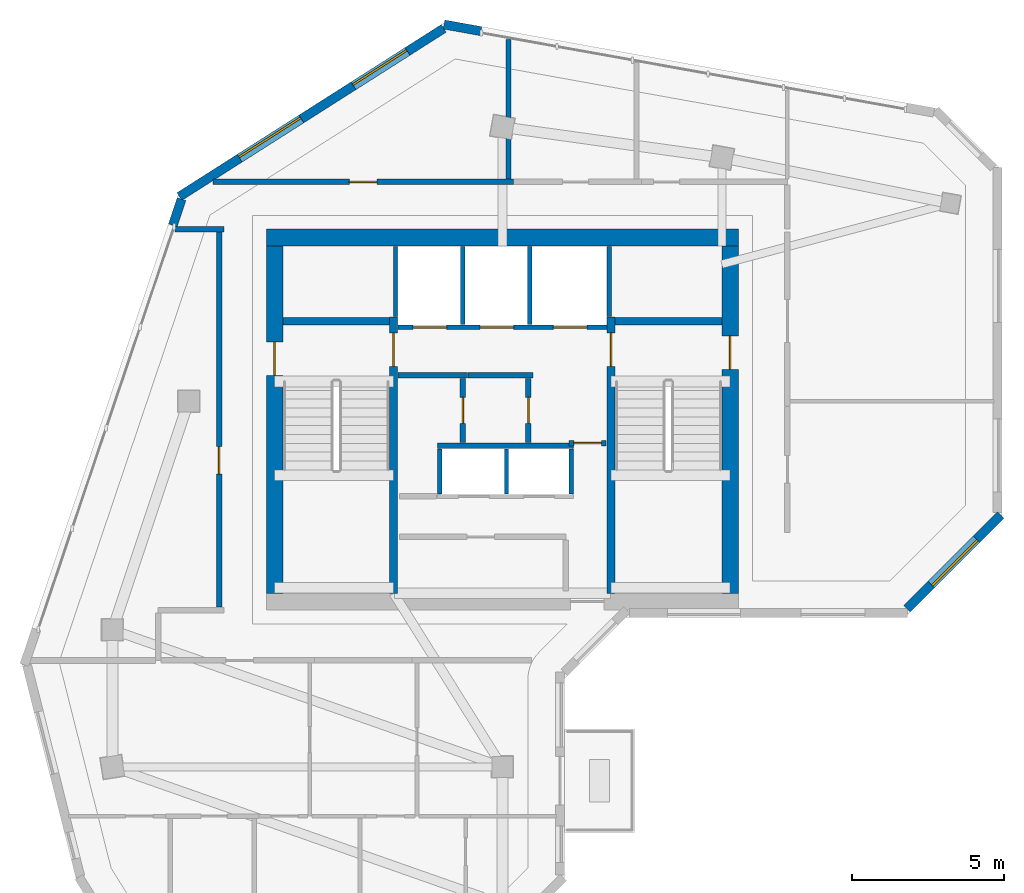
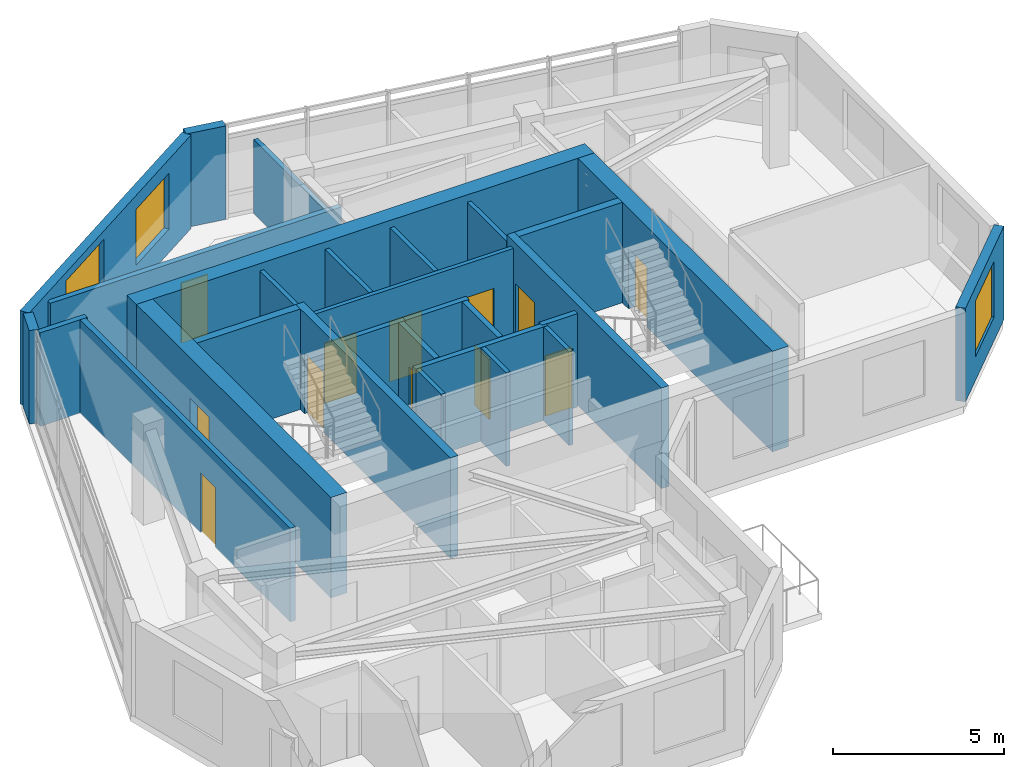
# One storey, part 4 of 7: 29 walls, 12 doors, 3 windows, 15 openings.
"""IFC4 building model written with IfcOpenShell, lengths in metres."""

from ifc_helpers import new_model, si_unit, direction, frame, frame_2d, origin, place, context, subcontext, project, spatial, rectangle, extrude, source, transform, mapped, material, layer, layer_set, type_object, element, fill, save


model = new_model("IFC4")

# Units and contexts
model_context = context("Model", 3, precision=1e-05, world=origin(), true_north=direction((0.0, 1.0)))
body_context = subcontext(model_context, "Body", "Model", "MODEL_VIEW")
ifc_project = project(units=[si_unit("LENGTHUNIT", "METRE"), si_unit("AREAUNIT", "SQUARE_METRE"), si_unit("VOLUMEUNIT", "CUBIC_METRE"), si_unit("PLANEANGLEUNIT", "RADIAN"), si_unit("MASSUNIT", "GRAM", prefix="KILO")], contexts=[model_context])

# Site, building, storey
site_placement = place(None, origin())
site = spatial("IfcSite", under=ifc_project, at=site_placement, CompositionType="ELEMENT")
building_placement = place(site_placement, origin())
building = spatial("IfcBuilding", under=site, at=building_placement, Name="Calvemar Wedge Station Tower", CompositionType="ELEMENT")
storey_placement = place(building_placement, frame((0.0, 0.0, 288.89990234375)))
storey = spatial("IfcBuildingStorey", under=building, at=storey_placement, Name="L74", CompositionType="ELEMENT", Elevation=288.89990234375)

# Wall, opening, door
ifc_material_1 = material(Name="Concrete C50", Category="concrete")
ifc_layer_1 = layer(ifc_material_1, 0.260009765625)
ifc_layer_set_1 = layer_set([ifc_layer_1], Name="Concrete C50")
wall_type_1 = type_object("IfcWallType", Name="SW-CORE-260", PredefinedType="SHEAR", material=ifc_layer_set_1)
wall_1_placement = place(storey_placement, frame((20.22998046875, 34.199951171875, 0.0), z_axis=(0.0, 0.0, 1.0), x_axis=(0.0, 1.0, 0.0)))
wall_1 = element("IfcWall", 1, at=wall_1_placement, inside=storey, type_object=wall_type_1, Name="Storey L74 Core Shear Wall SPINE-W", PredefinedType="SHEAR", context=body_context, shape_type="SweptSolid", body=[
    extrude(rectangle(XDim=9.06005859375, YDim=0.260009765625, at=frame_2d((4.530029296875, 0.0))), origin(), (0.0, 0.0, 1.0), 3.60009765625),
])
shared_shape_1 = source(origin(), body_context, "Body", "SweptSolid", [
    extrude(rectangle(XDim=1.10009765625, YDim=2.14990234375, at=frame_2d((0.550048828125, 1.074951171875))), frame((0.0, 0.14013671875, 0.0), z_axis=(0.0, -1.0, 0.0), x_axis=(1.0, 0.0, 0.0)), (0.0, 0.0, 1.0), 0.280029296875),
])
opening_1_placement = place(wall_1_placement, frame((7.449951171875, 0.0, 0.0)))
opening_1 = element("IfcOpeningElement", 2, at=opening_1_placement, cuts=wall_1, Name="Opening FD-90", PredefinedType="OPENING", context=body_context, shape_type="MappedRepresentation", body=[
    mapped(shared_shape_1, transform((0.0, 0.0, 0.0), scale=1.0)),
])
ifc_material_2 = material(Name="Galvanized fire-rated steel door leaf P-90", Category="steel")
door_type_1 = type_object("IfcDoorType", Name="DR-FD90-1100", OperationType="NOTDEFINED", PredefinedType="DOOR", material=ifc_material_2)
shared_shape_2 = source(origin(), body_context, "Body", "SweptSolid", [
    extrude(rectangle(XDim=1.10009765625, YDim=2.14990234375, at=frame_2d((0.550048828125, 1.074951171875))), frame((0.0, 0.02490234375, 0.0), z_axis=(0.0, -1.0, 0.0), x_axis=(1.0, 0.0, 0.0)), (0.0, 0.0, 1.0), 0.050048828125),
])
door_1_placement = place(opening_1_placement, origin())
door_1 = element("IfcDoor", 3, at=door_1_placement, inside=storey, type_object=door_type_1, Name="L74 FF Lobby to Stair ST-C1 Door", OperationType="SINGLE_SWING_RIGHT", OverallHeight=2.14990234375, OverallWidth=1.10009765625, PredefinedType="DOOR", context=body_context, shape_type="MappedRepresentation", body=[
    mapped(shared_shape_2, transform((0.0, 0.0, 0.0), scale=1.0)),
])
fill(opening_1, door_1)

wall_2_placement = place(storey_placement, frame((27.3701171875, 34.199951171875, 0.0), z_axis=(0.0, 0.0, 1.0), x_axis=(0.0, 1.0, 0.0)))
wall_2 = element("IfcWall", 4, at=wall_2_placement, inside=storey, type_object=wall_type_1, Name="Storey L74 Core Shear Wall SPINE-E", PredefinedType="SHEAR", context=body_context, shape_type="SweptSolid", body=[
    extrude(rectangle(XDim=9.06005859375, YDim=0.260009765625, at=frame_2d((4.530029296875, 0.0))), origin(), (0.0, 0.0, 1.0), 3.60009765625),
])
opening_2_placement = place(wall_2_placement, frame((7.449951171875, 0.0, 0.0)))
opening_2 = element("IfcOpeningElement", 5, at=opening_2_placement, cuts=wall_2, Name="Opening FD-90", PredefinedType="OPENING", context=body_context, shape_type="MappedRepresentation", body=[
    mapped(shared_shape_1, transform((0.0, 0.0, 0.0), scale=1.0)),
])
door_2_placement = place(opening_2_placement, origin())
door_2 = element("IfcDoor", 6, at=door_2_placement, inside=storey, type_object=door_type_1, Name="L74 FF Lobby to Stair ST-C2 Door", OperationType="SINGLE_SWING_LEFT", OverallHeight=2.14990234375, OverallWidth=1.10009765625, PredefinedType="DOOR", context=body_context, shape_type="MappedRepresentation", body=[
    mapped(shared_shape_2, transform((0.0, 0.0, 0.0), scale=1.0)),
])
fill(opening_2, door_2)

# Walls
for number, where, z_axis, x_axis, name in (
    (7, (16.60009765625, 43.1298828125, 0.0), (0.0, 0.0, 1.0), (1.0, 0.0, 0.0), "Storey L74 Core Shear Wall STC1-N"),
    (8, (27.5, 43.1298828125, 0.0), (0.0, 0.0, 1.0), (1.0, 0.0, 0.0), "Storey L74 Core Shear Wall STC2-N"),
):
    element("IfcWall", number, at=place(storey_placement, frame(where, z_axis=z_axis, x_axis=x_axis)), inside=storey, type_object=wall_type_1, Name=name, PredefinedType="SHEAR", context=body_context, shape_type="SweptSolid", body=[
        extrude(rectangle(XDim=3.5, YDim=0.260009765625, at=frame_2d((1.75, 0.0))), origin(), (0.0, 0.0, 1.0), 3.60009765625),
    ])
ifc_material_3 = material(Name="Concrete C60", Category="concrete")
ifc_layer_2 = layer(ifc_material_3, 0.550048828125)
ifc_layer_set_2 = layer_set([ifc_layer_2], Name="Concrete C60")
wall_type_2 = type_object("IfcWallType", Name="SW-CORE-550", PredefinedType="SHEAR", material=ifc_layer_set_2)
wall_3_placement = place(storey_placement, frame((16.050048828125, 45.875, 0.0), z_axis=(0.0, 0.0, 1.0), x_axis=(1.0, 0.0, 0.0)))
element("IfcWall", 9, at=wall_3_placement, inside=storey, type_object=wall_type_2, Name="Storey L74 Core Shear Wall N", PredefinedType="SHEAR", context=body_context, shape_type="SweptSolid", body=[
    extrude(rectangle(XDim=15.5, YDim=0.550048828125, at=frame_2d((7.75, 0.0))), origin(), (0.0, 0.0, 1.0), 3.60009765625),
])

# Wall, opening, door
wall_4_placement = place(storey_placement, frame((16.324951171875, 34.199951171875, 0.0), z_axis=(0.0, 0.0, 1.0), x_axis=(0.0, 1.0, 0.0)))
wall_4 = element("IfcWall", 10, at=wall_4_placement, inside=storey, type_object=wall_type_2, Name="Storey L74 Core Shear Wall W", PredefinedType="SHEAR", context=body_context, shape_type="SweptSolid", body=[
    extrude(rectangle(XDim=11.400146484375, YDim=0.550048828125, at=frame_2d((5.7001953125, 0.0))), origin(), (0.0, 0.0, 1.0), 3.60009765625),
])
shared_shape_3 = source(origin(), body_context, "Body", "SweptSolid", [
    extrude(rectangle(XDim=1.10009765625, YDim=2.14990234375, at=frame_2d((0.550048828125, 1.074951171875))), frame((0.0, 0.28515625, 0.0), z_axis=(0.0, -1.0, 0.0), x_axis=(1.0, 0.0, 0.0)), (0.0, 0.0, 1.0), 0.570068359375),
])
opening_3_placement = place(wall_4_placement, frame((7.14990234375, 0.0, 0.0)))
opening_3 = element("IfcOpeningElement", 11, at=opening_3_placement, cuts=wall_4, Name="Opening FD-90", PredefinedType="OPENING", context=body_context, shape_type="MappedRepresentation", body=[
    mapped(shared_shape_3, transform((0.0, 0.0, 0.0), scale=1.0)),
])
door_3_placement = place(opening_3_placement, origin())
door_3 = element("IfcDoor", 12, at=door_3_placement, inside=storey, type_object=door_type_1, Name="L74 West Corridor to Exit Stair ST-C1 Door", OperationType="SINGLE_SWING_RIGHT", OverallHeight=2.14990234375, OverallWidth=1.10009765625, PredefinedType="DOOR", context=body_context, shape_type="MappedRepresentation", body=[
    mapped(shared_shape_2, transform((0.0, 0.0, 0.0), scale=1.0)),
])
fill(opening_3, door_3)

wall_5_placement = place(storey_placement, frame((31.27490234375, 34.199951171875, 0.0), z_axis=(0.0, 0.0, 1.0), x_axis=(0.0, 1.0, 0.0)))
wall_5 = element("IfcWall", 13, at=wall_5_placement, inside=storey, type_object=wall_type_2, Name="Storey L74 Core Shear Wall E", PredefinedType="SHEAR", context=body_context, shape_type="SweptSolid", body=[
    extrude(rectangle(XDim=11.400146484375, YDim=0.550048828125, at=frame_2d((5.7001953125, 0.0))), origin(), (0.0, 0.0, 1.0), 3.60009765625),
])
opening_4_placement = place(wall_5_placement, frame((7.35009765625, 0.0, 0.0)))
opening_4 = element("IfcOpeningElement", 14, at=opening_4_placement, cuts=wall_5, Name="Opening FD-90", PredefinedType="OPENING", context=body_context, shape_type="MappedRepresentation", body=[
    mapped(shared_shape_3, transform((0.0, 0.0, 0.0), scale=1.0)),
])
door_4_placement = place(opening_4_placement, origin())
door_4 = element("IfcDoor", 15, at=door_4_placement, inside=storey, type_object=door_type_1, Name="L74 East Corridor to Exit Stair ST-C2 Door", OperationType="SINGLE_SWING_LEFT", OverallHeight=2.14990234375, OverallWidth=1.10009765625, PredefinedType="DOOR", context=body_context, shape_type="MappedRepresentation", body=[
    mapped(shared_shape_2, transform((0.0, 0.0, 0.0), scale=1.0)),
])
fill(opening_4, door_4)

# Walls
ifc_material_4 = material(Name="Double-stud fire-rated corridor partition")
ifc_layer_3 = layer(ifc_material_4, 0.179931640625)
ifc_layer_set_3 = layer_set([ifc_layer_3], Name="Double-stud fire-rated corridor partition")
wall_type_3 = type_object("IfcWallType", Name="W-CORR-180", PredefinedType="PARTITIONING", material=ifc_layer_set_3)
wall_6_placement = place(storey_placement, frame((22.659912109375, 41.35009765625, 0.0), z_axis=(0.0, 0.0, 1.0), x_axis=(-1.0, 0.0, 0.0)))
element("IfcWall", 16, at=wall_6_placement, inside=storey, type_object=wall_type_3, Name="Storey L74 Interior Partition WL-L74-001", PredefinedType="PARTITIONING", context=body_context, shape_type="SweptSolid", body=[
    extrude(rectangle(XDim=2.280029296875, YDim=0.179931640625, at=frame_2d((1.14013671875, 0.0))), origin(), (0.0, 0.0, 1.0), 3.35009765625),
])
wall_7_placement = place(storey_placement, frame((24.81005859375, 41.35009765625, 0.0), z_axis=(0.0, 0.0, 1.0), x_axis=(-1.0, 0.0, 0.0)))
element("IfcWall", 17, at=wall_7_placement, inside=storey, type_object=wall_type_3, Name="Storey L74 Interior Partition WL-L74-002", PredefinedType="PARTITIONING", context=body_context, shape_type="SweptSolid", body=[
    extrude(rectangle(XDim=2.14794921875, YDim=0.179931640625, at=frame_2d((1.073974609375, 0.0))), origin(), (0.0, 0.0, 1.0), 3.35009765625),
])

# Wall, opening, door
wall_8_placement = place(storey_placement, frame((22.5, 41.256103515625, 0.0), z_axis=(0.0, 0.0, 1.0), x_axis=(0.0, -1.0, 0.0)))
wall_8 = element("IfcWall", 18, at=wall_8_placement, inside=storey, type_object=wall_type_3, Name="Storey L74 Interior Partition WL-L74-003", PredefinedType="PARTITIONING", context=body_context, shape_type="SweptSolid", body=[
    extrude(rectangle(XDim=2.106201171875, YDim=0.179931640625, at=frame_2d((1.05322265625, 0.0))), origin(), (0.0, 0.0, 1.0), 3.35009765625),
])
shared_shape_4 = source(origin(), body_context, "Body", "SweptSolid", [
    extrude(rectangle(XDim=0.85009765625, YDim=2.14990234375, at=frame_2d((0.425048828125, 1.074951171875))), frame((0.0, 0.10009765625, 0.0), z_axis=(0.0, -1.0, 0.0), x_axis=(1.0, 0.0, 0.0)), (0.0, 0.0, 1.0), 0.199951171875),
])
opening_5_placement = place(wall_8_placement, frame((0.6279296875, 0.0, 0.0)))
opening_5 = element("IfcOpeningElement", 19, at=opening_5_placement, cuts=wall_8, Name="Opening FD-60S", PredefinedType="OPENING", context=body_context, shape_type="MappedRepresentation", body=[
    mapped(shared_shape_4, transform((0.0, 0.0, 0.0), scale=1.0)),
])
ifc_material_5 = material(Name="Fire-rated steel and hardwood service door EI 60", Category="steel")
door_type_2 = type_object("IfcDoorType", Name="DR-CORE-FD60-850", OperationType="NOTDEFINED", PredefinedType="DOOR", material=ifc_material_5)
shared_shape_5 = source(origin(), body_context, "Body", "SweptSolid", [
    extrude(rectangle(XDim=0.85009765625, YDim=2.14990234375, at=frame_2d((0.425048828125, 1.074951171875))), frame((0.0, 0.02490234375, 0.0), z_axis=(0.0, -1.0, 0.0), x_axis=(1.0, 0.0, 0.0)), (0.0, 0.0, 1.0), 0.050048828125),
])
door_5_placement = place(opening_5_placement, origin())
door_5 = element("IfcDoor", 20, at=door_5_placement, inside=storey, type_object=door_type_2, Name="L74 IT and Telecoms Room Door", OperationType="SINGLE_SWING_LEFT", OverallHeight=2.14990234375, OverallWidth=0.85009765625, PredefinedType="DOOR", context=body_context, shape_type="MappedRepresentation", body=[
    mapped(shared_shape_5, transform((0.0, 0.0, 0.0), scale=1.0)),
])
fill(opening_5, door_5)

wall_9_placement = place(storey_placement, frame((24.64990234375, 41.256103515625, 0.0), z_axis=(0.0, 0.0, 1.0), x_axis=(0.0, -1.0, 0.0)))
wall_9 = element("IfcWall", 21, at=wall_9_placement, inside=storey, type_object=wall_type_3, Name="Storey L74 Interior Partition WL-L74-005", PredefinedType="PARTITIONING", context=body_context, shape_type="SweptSolid", body=[
    extrude(rectangle(XDim=2.106201171875, YDim=0.179931640625, at=frame_2d((1.05322265625, 0.0))), origin(), (0.0, 0.0, 1.0), 3.35009765625),
])
opening_6_placement = place(wall_9_placement, frame((0.6279296875, 0.0, 0.0)))
opening_6 = element("IfcOpeningElement", 22, at=opening_6_placement, cuts=wall_9, Name="Opening FD-60S", PredefinedType="OPENING", context=body_context, shape_type="MappedRepresentation", body=[
    mapped(shared_shape_4, transform((0.0, 0.0, 0.0), scale=1.0)),
])
door_6_placement = place(opening_6_placement, origin())
door_6 = element("IfcDoor", 23, at=door_6_placement, inside=storey, type_object=door_type_2, Name="L74 Core Equipment Store Door", OperationType="SINGLE_SWING_RIGHT", OverallHeight=2.14990234375, OverallWidth=0.85009765625, PredefinedType="DOOR", context=body_context, shape_type="MappedRepresentation", body=[
    mapped(shared_shape_5, transform((0.0, 0.0, 0.0), scale=1.0)),
])
fill(opening_6, door_6)

wall_10_placement = place(storey_placement, frame((27.199951171875, 39.1298828125, 0.0), z_axis=(0.0, 0.0, 1.0), x_axis=(-1.0, 0.0, 0.0)))
wall_10 = element("IfcWall", 24, at=wall_10_placement, inside=storey, type_object=wall_type_3, Name="Storey L74 Interior Partition WL-L74-006", PredefinedType="PARTITIONING", context=body_context, shape_type="SweptSolid", body=[
    extrude(rectangle(XDim=1.2099609375, YDim=0.179931640625, at=frame_2d((0.60498046875, 0.0))), origin(), (0.0, 0.0, 1.0), 3.35009765625),
])
shared_shape_6 = source(origin(), body_context, "Body", "SweptSolid", [
    extrude(rectangle(XDim=0.89990234375, YDim=2.14990234375, at=frame_2d((0.449951171875, 1.074951171875))), frame((0.0, 0.10009765625, 0.0), z_axis=(0.0, -1.0, 0.0), x_axis=(1.0, 0.0, 0.0)), (0.0, 0.0, 1.0), 0.199951171875),
])
opening_7_placement = place(wall_10_placement, frame((0.155029296875, 0.0, 0.0)))
opening_7 = element("IfcOpeningElement", 25, at=opening_7_placement, cuts=wall_10, Name="Opening FD-60", PredefinedType="OPENING", context=body_context, shape_type="MappedRepresentation", body=[
    mapped(shared_shape_6, transform((0.0, 0.0, 0.0), scale=1.0)),
])
ifc_material_6 = material(Name="Fire-rated acoustic timber-core entrance door EI 60", Category="wood")
door_type_3 = type_object("IfcDoorType", Name="DR-FD60-900", OperationType="NOTDEFINED", PredefinedType="DOOR", material=ifc_material_6)
shared_shape_7 = source(origin(), body_context, "Body", "SweptSolid", [
    extrude(rectangle(XDim=0.89990234375, YDim=2.14990234375, at=frame_2d((0.449951171875, 1.074951171875))), frame((0.0, 0.02490234375, 0.0), z_axis=(0.0, -1.0, 0.0), x_axis=(1.0, 0.0, 0.0)), (0.0, 0.0, 1.0), 0.050048828125),
])
door_7_placement = place(opening_7_placement, origin())
door_7 = element("IfcDoor", 26, at=door_7_placement, inside=storey, type_object=door_type_3, Name="L74 Core Service Lobby Door", OperationType="SINGLE_SWING_LEFT", OverallHeight=2.14990234375, OverallWidth=0.89990234375, PredefinedType="DOOR", context=body_context, shape_type="MappedRepresentation", body=[
    mapped(shared_shape_7, transform((0.0, 0.0, 0.0), scale=1.0)),
])
fill(opening_7, door_7)

wall_11_placement = place(storey_placement, frame((14.5, 33.743896484375, 0.0), z_axis=(0.0, 0.0, 1.0), x_axis=(0.0, 1.0, 0.0)))
wall_11 = element("IfcWall", 27, at=wall_11_placement, inside=storey, type_object=wall_type_3, Name="Storey L74 Interior Partition WL-L74-014", PredefinedType="PARTITIONING", context=body_context, shape_type="SweptSolid", body=[
    extrude(rectangle(XDim=12.406005859375, YDim=0.179931640625, at=frame_2d((6.203125, 0.0))), origin(), (0.0, 0.0, 1.0), 3.35009765625),
])
opening_8_placement = place(wall_11_placement, frame((4.36962890625, 0.0, 0.0)))
opening_8 = element("IfcOpeningElement", 28, at=opening_8_placement, cuts=wall_11, Name="Opening D-01", PredefinedType="OPENING", context=body_context, shape_type="MappedRepresentation", body=[
    mapped(shared_shape_6, transform((0.0, 0.0, 0.0), scale=1.0)),
])
ifc_material_7 = material(Name="Architectural hardwood acoustic swing door", Category="wood")
door_type_4 = type_object("IfcDoorType", Name="DR-INT-900", OperationType="NOTDEFINED", PredefinedType="DOOR", material=ifc_material_7)
shared_shape_8 = source(origin(), body_context, "Body", "SweptSolid", [
    extrude(rectangle(XDim=0.89990234375, YDim=2.14990234375, at=frame_2d((0.449951171875, 1.074951171875))), frame((0.0, 0.02490234375, 0.0), z_axis=(0.0, -1.0, 0.0), x_axis=(1.0, 0.0, 0.0)), (0.0, 0.0, 1.0), 0.050048828125),
])
door_8_placement = place(opening_8_placement, origin())
door_8 = element("IfcDoor", 29, at=door_8_placement, inside=storey, type_object=door_type_4, Name="L74 Resident Reading Lounge Door", OperationType="SINGLE_SWING_LEFT", OverallHeight=2.14990234375, OverallWidth=0.89990234375, PredefinedType="DOOR", context=body_context, shape_type="MappedRepresentation", body=[
    mapped(shared_shape_8, transform((0.0, 0.0, 0.0), scale=1.0)),
])
fill(opening_8, door_8)

# Wall
wall_12_placement = place(storey_placement, frame((14.659912109375, 46.14990234375, 0.0), z_axis=(0.0, 0.0, 1.0), x_axis=(-1.0, 0.0, 0.0)))
element("IfcWall", 30, at=wall_12_placement, inside=storey, type_object=wall_type_3, Name="Storey L74 Interior Partition WL-L74-015", PredefinedType="PARTITIONING", context=body_context, shape_type="SweptSolid", body=[
    extrude(rectangle(XDim=1.602294921875, YDim=0.179931640625, at=frame_2d((0.80126953125, 0.0))), origin(), (0.0, 0.0, 1.0), 3.35009765625),
])

# Wall, opening, door
wall_13_placement = place(storey_placement, frame((14.29541015625, 47.699951171875, 0.0), z_axis=(0.0, 0.0, 1.0), x_axis=(1.0, 0.0, 0.0)))
wall_13 = element("IfcWall", 31, at=wall_13_placement, inside=storey, type_object=wall_type_3, Name="Storey L74 Interior Partition WL-L74-016", PredefinedType="PARTITIONING", context=body_context, shape_type="SweptSolid", body=[
    extrude(rectangle(XDim=9.864501953125, YDim=0.179931640625, at=frame_2d((4.93212890625, 0.0))), origin(), (0.0, 0.0, 1.0), 3.0341796875),
])
opening_9_placement = place(wall_13_placement, frame((4.482421875, 0.0, 0.0)))
opening_9 = element("IfcOpeningElement", 32, at=opening_9_placement, cuts=wall_13, Name="Opening D-01", PredefinedType="OPENING", context=body_context, shape_type="MappedRepresentation", body=[
    mapped(shared_shape_6, transform((0.0, 0.0, 0.0), scale=1.0)),
])
door_9_placement = place(opening_9_placement, origin())
door_9 = element("IfcDoor", 33, at=door_9_placement, inside=storey, type_object=door_type_4, Name="L74 Summit Pantry Door", OperationType="SINGLE_SWING_RIGHT", OverallHeight=2.14990234375, OverallWidth=0.89990234375, PredefinedType="DOOR", context=body_context, shape_type="MappedRepresentation", body=[
    mapped(shared_shape_8, transform((0.0, 0.0, 0.0), scale=1.0)),
])
fill(opening_9, door_9)

# Wall, opening, window
ifc_material_8 = material(Name="Precast concrete C45", Category="concrete")
ifc_layer_4 = layer(ifc_material_8, 0.300048828125)
ifc_layer_set_4 = layer_set([ifc_layer_4], Name="Precast concrete C45")
wall_type_4 = type_object("IfcWallType", Name="W-EXT-GFRC-300", PredefinedType="SOLIDWALL", material=ifc_layer_set_4)
wall_14_placement = place(storey_placement, frame((37.075927734375, 33.68798828125, 0.0), z_axis=(0.0, 0.0, 1.0), x_axis=(0.707078757535, 0.707134803727, 0.0)))
wall_14 = element("IfcWall", 34, at=wall_14_placement, inside=storey, type_object=wall_type_4, Name="Storey L74 Bronze GFRC Exterior Wall 7", PredefinedType="SOLIDWALL", context=body_context, shape_type="SweptSolid", body=[
    extrude(rectangle(XDim=4.35595703125, YDim=0.300048828125, at=frame_2d((2.177978515625, 0.0))), origin(), (0.0, 0.0, 1.0), 3.35009765625),
])
shared_shape_9 = source(origin(), body_context, "Body", "SweptSolid", [
    extrude(rectangle(XDim=2.10009765625, YDim=2.0, at=frame_2d((1.050048828125, 1.0))), frame((0.0, 0.16015625, 0.0), z_axis=(0.0, -1.0, 0.0), x_axis=(1.0, 0.0, 0.0)), (0.0, 0.0, 1.0), 0.320068359375),
])
opening_10_placement = place(wall_14_placement, frame((1.1279296875, 0.0, 0.85009765625)))
opening_10 = element("IfcOpeningElement", 35, at=opening_10_placement, cuts=wall_14, Name="Opening W4", PredefinedType="OPENING", context=body_context, shape_type="MappedRepresentation", body=[
    mapped(shared_shape_9, transform((0.0, 0.0, 0.0), scale=1.0)),
])
ifc_material_9 = material(Name="Low-E laminated insulated glass", Category="glass")
window_type_1 = type_object("IfcWindowType", Name="WIN-EXT-4", PartitioningType="SINGLE_PANEL", PredefinedType="WINDOW", material=ifc_material_9)
shared_shape_10 = source(origin(), body_context, "Body", "SweptSolid", [
    extrude(rectangle(XDim=2.10009765625, YDim=2.0, at=frame_2d((1.050048828125, 1.0))), frame((0.0, -0.014892578125, 0.0), z_axis=(0.0, -1.0, 0.0), x_axis=(1.0, 0.0, 0.0)), (0.0, 0.0, 1.0), 0.06005859375),
])
window_1_placement = place(opening_10_placement, origin())
window_1 = element("IfcWindow", 36, at=window_1_placement, inside=storey, type_object=window_type_1, Name="Storey L74 Recessed Window 7.1", OverallHeight=2.0, OverallWidth=2.10009765625, PartitioningType="SINGLE_PANEL", PredefinedType="WINDOW", context=body_context, shape_type="MappedRepresentation", body=[
    mapped(shared_shape_10, transform((0.0, 0.0, 0.0), scale=1.0)),
])
fill(opening_10, window_1)

# Wall
wall_15_placement = place(storey_placement, frame((23.093994140625, 52.65087890625, 0.0), z_axis=(0.0, 0.0, 1.0), x_axis=(-0.984233125072, 0.176876102146, 0.0)))
element("IfcWall", 37, at=wall_15_placement, inside=storey, type_object=wall_type_4, Name="Storey L74 Bronze GFRC Corner Pier 10B", PredefinedType="SOLIDWALL", context=body_context, shape_type="SweptSolid", body=[
    extrude(rectangle(XDim=1.229736328125, YDim=0.300048828125, at=frame_2d((0.61474609375, 0.0))), origin(), (0.0, 0.0, 1.0), 3.35009765625),
])

# Wall, openings, windows
wall_16_placement = place(storey_placement, frame((21.872802734375, 52.7412109375, 0.0), z_axis=(0.0, 0.0, 1.0), x_axis=(-0.843661487732, -0.536875492193, 0.0)))
wall_16 = element("IfcWall", 38, at=wall_16_placement, inside=storey, type_object=wall_type_4, Name="Storey L74 Bronze GFRC Exterior Wall 11", PredefinedType="SOLIDWALL", context=body_context, shape_type="SweptSolid", body=[
    extrude(rectangle(XDim=10.28173828125, YDim=0.300048828125, at=frame_2d((5.140869140625, 0.0))), origin(), (0.0, 0.0, 1.0), 3.35009765625),
])
opening_11_placement = place(wall_16_placement, frame((1.409912109375, 0.0, 0.85009765625)))
opening_11 = element("IfcOpeningElement", 39, at=opening_11_placement, cuts=wall_16, Name="Opening W4", PredefinedType="OPENING", context=body_context, shape_type="MappedRepresentation", body=[
    mapped(shared_shape_9, transform((0.0, 0.0, 0.0), scale=1.0)),
])
shared_shape_11 = source(origin(), body_context, "Body", "SweptSolid", [
    extrude(rectangle(XDim=2.39990234375, YDim=2.199951171875, at=frame_2d((1.199951171875, 1.10009765625))), frame((0.0, 0.16015625, 0.0), z_axis=(0.0, -1.0, 0.0), x_axis=(1.0, 0.0, 0.0)), (0.0, 0.0, 1.0), 0.320068359375),
])
opening_12_placement = place(wall_16_placement, frame((5.5390625, 0.0, 0.85009765625)))
opening_12 = element("IfcOpeningElement", 40, at=opening_12_placement, cuts=wall_16, Name="Opening W1", PredefinedType="OPENING", context=body_context, shape_type="MappedRepresentation", body=[
    mapped(shared_shape_11, transform((0.0, 0.0, 0.0), scale=1.0)),
])
window_2_placement = place(opening_11_placement, origin())
window_2 = element("IfcWindow", 41, at=window_2_placement, inside=storey, type_object=window_type_1, Name="Storey L74 Recessed Window 11.1", OverallHeight=2.0, OverallWidth=2.10009765625, PartitioningType="SINGLE_PANEL", PredefinedType="WINDOW", context=body_context, shape_type="MappedRepresentation", body=[
    mapped(shared_shape_10, transform((0.0, 0.0, 0.0), scale=1.0)),
])
fill(opening_11, window_2)
window_type_2 = type_object("IfcWindowType", Name="WIN-EXT-1", PartitioningType="SINGLE_PANEL", PredefinedType="WINDOW", material=ifc_material_9)
shared_shape_12 = source(origin(), body_context, "Body", "SweptSolid", [
    extrude(rectangle(XDim=2.39990234375, YDim=2.199951171875, at=frame_2d((1.199951171875, 1.10009765625))), frame((0.0, -0.014892578125, 0.0), z_axis=(0.0, -1.0, 0.0), x_axis=(1.0, 0.0, 0.0)), (0.0, 0.0, 1.0), 0.06005859375),
])
window_3_placement = place(opening_12_placement, origin())
window_3 = element("IfcWindow", 42, at=window_3_placement, inside=storey, type_object=window_type_2, Name="Storey L74 Recessed Window 11.2", OverallHeight=2.199951171875, OverallWidth=2.39990234375, PartitioningType="SINGLE_PANEL", PredefinedType="WINDOW", context=body_context, shape_type="MappedRepresentation", body=[
    mapped(shared_shape_12, transform((0.0, 0.0, 0.0), scale=1.0)),
])
fill(opening_12, window_3)

# Wall
wall_17_placement = place(storey_placement, frame((13.2685546875, 47.1337890625, 0.0), z_axis=(0.0, 0.0, 1.0), x_axis=(-0.31995770778, -0.947431826166, 0.0)))
element("IfcWall", 43, at=wall_17_placement, inside=storey, type_object=wall_type_4, Name="Storey L74 Bronze GFRC Corner Pier 12A", PredefinedType="SOLIDWALL", context=body_context, shape_type="SweptSolid", body=[
    extrude(rectangle(XDim=0.902587890625, YDim=0.300048828125, at=frame_2d((0.451171875, 0.0))), origin(), (0.0, 0.0, 1.0), 3.35009765625),
])

# Wall, openings, doors
ifc_material_10 = material(Name="Reinforced concrete blockwork lift shaft wall", Category="masonry")
ifc_layer_5 = layer(ifc_material_10, 0.139892578125)
ifc_layer_set_5 = layer_set([ifc_layer_5], Name="Reinforced concrete blockwork lift shaft wall")
wall_type_5 = type_object("IfcWallType", Name="W-LIFT-160", PredefinedType="SOLIDWALL", material=ifc_layer_set_5)
wall_18_placement = place(storey_placement, frame((20.3701171875, 42.929931640625, 0.0), z_axis=(0.0, 0.0, 1.0), x_axis=(1.0, 0.0, 0.0)))
wall_18 = element("IfcWall", 44, at=wall_18_placement, inside=storey, type_object=wall_type_5, Name="Storey L74 Firefighting and Service Lift Shaft Front Wall", PredefinedType="SOLIDWALL", context=body_context, shape_type="SweptSolid", body=[
    extrude(rectangle(XDim=6.85986328125, YDim=0.139892578125, at=frame_2d((3.429931640625, 0.0))), origin(), (0.0, 0.0, 1.0), 3.35009765625),
])
shared_shape_13 = source(origin(), body_context, "Body", "SweptSolid", [
    extrude(rectangle(XDim=1.10009765625, YDim=2.14990234375, at=frame_2d((0.550048828125, 1.074951171875))), frame((0.0, 0.080078125, 0.0), z_axis=(0.0, -1.0, 0.0), x_axis=(1.0, 0.0, 0.0)), (0.0, 0.0, 1.0), 0.159912109375),
])
opening_13_placement = place(wall_18_placement, frame((0.5, 0.0, 0.0)))
opening_13 = element("IfcOpeningElement", 45, at=opening_13_placement, cuts=wall_18, Name="Opening LD-FF", PredefinedType="OPENING", context=body_context, shape_type="MappedRepresentation", body=[
    mapped(shared_shape_13, transform((0.0, 0.0, 0.0), scale=1.0)),
])
opening_14_placement = place(wall_18_placement, frame((2.699951171875, 0.0, 0.0)))
opening_14 = element("IfcOpeningElement", 46, at=opening_14_placement, cuts=wall_18, Name="Opening LD-FF", PredefinedType="OPENING", context=body_context, shape_type="MappedRepresentation", body=[
    mapped(shared_shape_13, transform((0.0, 0.0, 0.0), scale=1.0)),
])
opening_15_placement = place(wall_18_placement, frame((5.10009765625, 0.0, 0.0)))
opening_15 = element("IfcOpeningElement", 47, at=opening_15_placement, cuts=wall_18, Name="Opening LD-STN", PredefinedType="OPENING", context=body_context, shape_type="MappedRepresentation", body=[
    mapped(shared_shape_13, transform((0.0, 0.0, 0.0), scale=1.0)),
])
ifc_material_11 = material(Name="Stainless steel firefighting lift sliding landing door", Category="steel")
door_type_5 = type_object("IfcDoorType", Name="DR-LD-FF-1100", OperationType="SLIDING_TO_LEFT", PredefinedType="DOOR", material=ifc_material_11)
shared_shape_14 = source(origin(), body_context, "Body", "SweptSolid", [
    extrude(rectangle(XDim=1.10009765625, YDim=2.14990234375, at=frame_2d((0.550048828125, 1.074951171875))), frame((0.0, 0.02490234375, 0.0), z_axis=(0.0, -1.0, 0.0), x_axis=(1.0, 0.0, 0.0)), (0.0, 0.0, 1.0), 0.050048828125),
])
door_10_placement = place(opening_13_placement, origin())
door_10 = element("IfcDoor", 48, at=door_10_placement, inside=storey, type_object=door_type_5, Name="L74 Lift FF-01 Sliding Landing Door", OperationType="SLIDING_TO_LEFT", OverallHeight=2.14990234375, OverallWidth=1.10009765625, PredefinedType="DOOR", context=body_context, shape_type="MappedRepresentation", body=[
    mapped(shared_shape_14, transform((0.0, 0.0, 0.0), scale=1.0)),
])
fill(opening_13, door_10)
door_11_placement = place(opening_14_placement, origin())
door_11 = element("IfcDoor", 49, at=door_11_placement, inside=storey, type_object=door_type_5, Name="L74 Lift FF-02 Sliding Landing Door", OperationType="SLIDING_TO_RIGHT", OverallHeight=2.14990234375, OverallWidth=1.10009765625, PredefinedType="DOOR", context=body_context, shape_type="MappedRepresentation", body=[
    mapped(shared_shape_14, transform((0.0, 0.0, 0.0), scale=1.0)),
])
fill(opening_14, door_11)
ifc_material_12 = material(Name="Stainless steel transit lift sliding landing door", Category="steel")
door_type_6 = type_object("IfcDoorType", Name="DR-LD-PAX-1100", OperationType="SLIDING_TO_LEFT", PredefinedType="DOOR", material=ifc_material_12)
shared_shape_15 = source(origin(), body_context, "Body", "SweptSolid", [
    extrude(rectangle(XDim=1.10009765625, YDim=2.14990234375, at=frame_2d((0.550048828125, 1.074951171875))), frame((0.0, 0.02490234375, 0.0), z_axis=(0.0, -1.0, 0.0), x_axis=(1.0, 0.0, 0.0)), (0.0, 0.0, 1.0), 0.050048828125),
])
door_12_placement = place(opening_15_placement, origin())
door_12 = element("IfcDoor", 50, at=door_12_placement, inside=storey, type_object=door_type_6, Name="L74 Lift SV-01 Sliding Landing Door", OperationType="SLIDING_TO_LEFT", OverallHeight=2.14990234375, OverallWidth=1.10009765625, PredefinedType="DOOR", context=body_context, shape_type="MappedRepresentation", body=[
    mapped(shared_shape_15, transform((0.0, 0.0, 0.0), scale=1.0)),
])
fill(opening_15, door_12)

# Walls
for number, where, z_axis, x_axis, name in (
    (51, (20.2900390625, 43.280029296875, 0.0), (0.0, 0.0, 1.0), (0.0, 1.0, 0.0), "Storey L74 Firefighting Lift Shaft Enclosure Wall W"),
    (52, (27.31005859375, 43.280029296875, 0.0), (0.0, 0.0, 1.0), (0.0, 1.0, 0.0), "Storey L74 Firefighting Lift Shaft Enclosure Wall E"),
):
    element("IfcWall", number, at=place(storey_placement, frame(where, z_axis=z_axis, x_axis=x_axis)), inside=storey, type_object=wall_type_5, Name=name, PredefinedType="SOLIDWALL", context=body_context, shape_type="SweptSolid", body=[
        extrude(rectangle(XDim=2.300048828125, YDim=0.139892578125, at=frame_2d((1.14990234375, 0.0))), origin(), (0.0, 0.0, 1.0), 3.35009765625),
    ])
for number, where, z_axis, x_axis, name in (
    (53, (22.5, 43.02001953125, 0.0), (0.0, 0.0, 1.0), (0.0, 1.0, 0.0), "Storey L74 Firefighting Lift Shaft Enclosure Wall D1"),
    (54, (24.699951171875, 43.02001953125, 0.0), (0.0, 0.0, 1.0), (0.0, 1.0, 0.0), "Storey L74 Firefighting Lift Shaft Enclosure Wall D2"),
):
    element("IfcWall", number, at=place(storey_placement, frame(where, z_axis=z_axis, x_axis=x_axis)), inside=storey, type_object=wall_type_5, Name=name, PredefinedType="SOLIDWALL", context=body_context, shape_type="SweptSolid", body=[
        extrude(rectangle(XDim=2.56005859375, YDim=0.139892578125, at=frame_2d((1.280029296875, 0.0))), origin(), (0.0, 0.0, 1.0), 3.35009765625),
    ])
for number, where, z_axis, x_axis, name in (
    (55, (26.06005859375, 37.4599609375, 0.0), (0.0, 0.0, 1.0), (0.0, 1.0, 0.0), "Storey L74 Upper Passenger Lift Shaft Wall E"),
    (56, (21.739990234375, 37.4599609375, 0.0), (0.0, 0.0, 1.0), (0.0, 1.0, 0.0), "Storey L74 Upper Passenger Lift Shaft Wall W"),
    (57, (23.93505859375, 37.4599609375, 0.0), (0.0, 0.0, 1.0), (0.0, 1.0, 0.0), "Storey L74 Upper Passenger Lift Shaft Wall D1"),
):
    element("IfcWall", number, at=place(storey_placement, frame(where, z_axis=z_axis, x_axis=x_axis)), inside=storey, type_object=wall_type_5, Name=name, PredefinedType="SOLIDWALL", context=body_context, shape_type="SweptSolid", body=[
        extrude(rectangle(XDim=1.47998046875, YDim=0.139892578125, at=frame_2d((0.739990234375, 0.0))), origin(), (0.0, 0.0, 1.0), 3.35009765625),
    ])
ifc_material_13 = material(Name="Concrete blockwork and fireboard shaft wall", Category="masonry")
ifc_layer_6 = layer(ifc_material_13, 0.199951171875)
ifc_layer_set_6 = layer_set([ifc_layer_6], Name="Concrete blockwork and fireboard shaft wall")
wall_type_6 = type_object("IfcWallType", Name="W-SHAFT-200", PredefinedType="SOLIDWALL", material=ifc_layer_set_6)
wall_19_placement = place(storey_placement, frame((21.669921875, 39.0400390625, 0.0), z_axis=(0.0, 0.0, 1.0), x_axis=(1.0, 0.0, 0.0)))
element("IfcWall", 58, at=wall_19_placement, inside=storey, type_object=wall_type_6, Name="Storey L74 Upper Passenger Lift Bank Rear Shaft Wall", PredefinedType="SOLIDWALL", context=body_context, shape_type="SweptSolid", body=[
    extrude(rectangle(XDim=4.4599609375, YDim=0.179931640625, at=frame_2d((2.22998046875, 0.0))), origin(), (0.0, 0.0, 1.0), 3.35009765625),
])
ifc_material_14 = material(Name="Moisture-resistant acoustic bathroom partition")
ifc_layer_7 = layer(ifc_material_14, 0.14990234375)
ifc_layer_set_7 = layer_set([ifc_layer_7], Name="Moisture-resistant acoustic bathroom partition")
wall_type_7 = type_object("IfcWallType", Name="W-WET-150", PredefinedType="PARTITIONING", material=ifc_layer_set_7)
wall_20_placement = place(storey_placement, frame((24.0, 52.37109375, 0.0), z_axis=(0.0, 0.0, 1.0), x_axis=(0.0, -1.0, 0.0)))
element("IfcWall", 59, at=wall_20_placement, inside=storey, type_object=wall_type_7, Name="Storey L74 Interior Partition WL-L74-023", PredefinedType="PARTITIONING", context=body_context, shape_type="SweptSolid", body=[
    extrude(rectangle(XDim=4.5771484375, YDim=0.14990234375, at=frame_2d((2.28857421875, 0.0))), origin(), (0.0, 0.0, 1.0), 2.64208984375),
])

save(model, "model.ifc")
